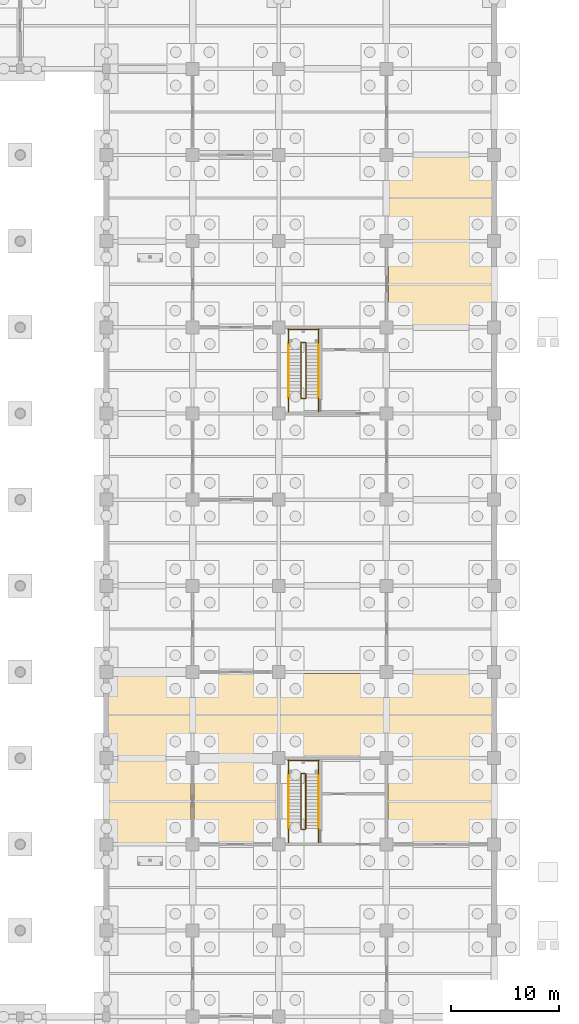
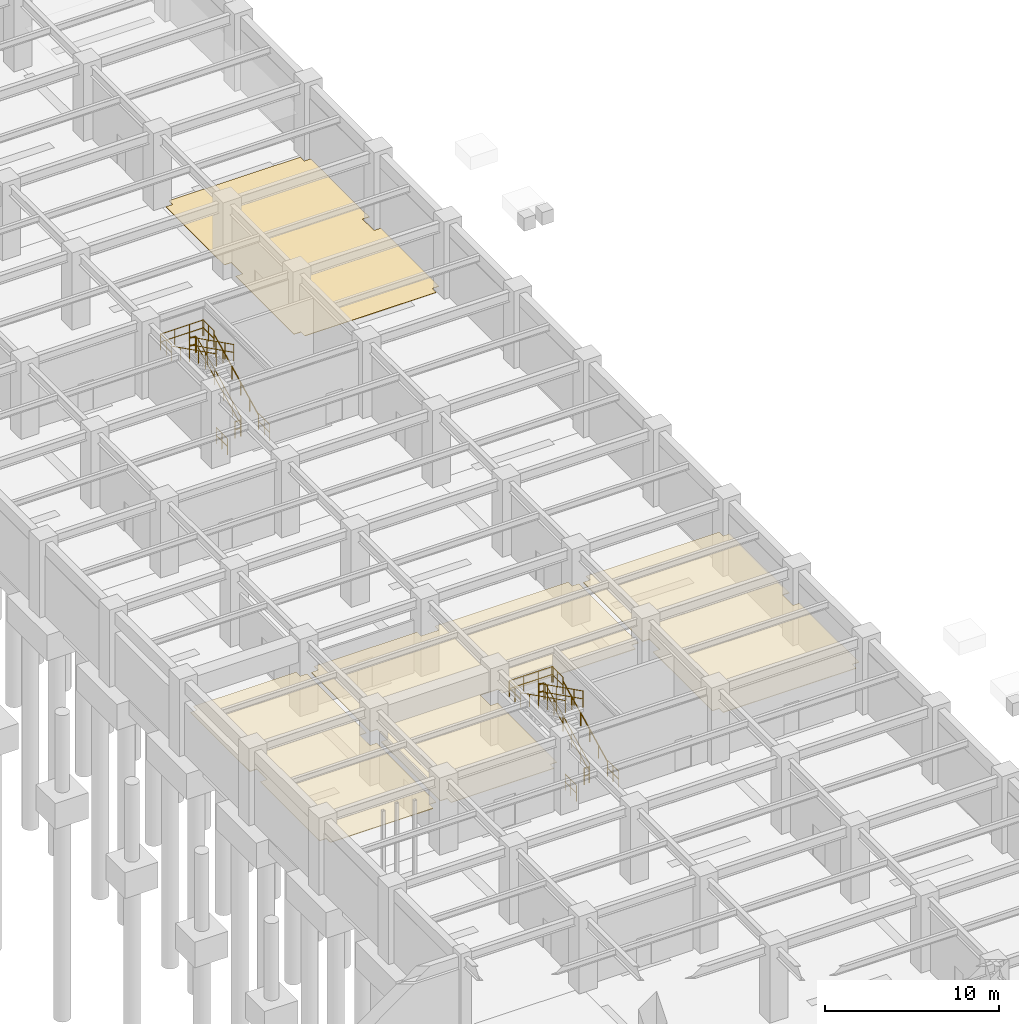
# One storey, part 94 of 97: 22 railings, 4 coverings.
"""IFC4 building model written with IfcOpenShell, lengths in metres."""

from ifc_helpers import new_model, si_unit, direction, frame, origin, origin_2d, place, context, subcontext, project, spatial, polyline, circle, outline, extrude, material, layer, layer_set, type_object, element, save


model = new_model("IFC4")

# Units and contexts
model_context = context("Model", 3, precision=1e-05, world=origin(), true_north=direction((0.0, 1.0)))
body_context = subcontext(model_context, "Body", "Model", "MODEL_VIEW")
ifc_project = project(units=[si_unit("LENGTHUNIT", "METRE"), si_unit("AREAUNIT", "SQUARE_METRE"), si_unit("VOLUMEUNIT", "CUBIC_METRE"), si_unit("PLANEANGLEUNIT", "RADIAN"), si_unit("MASSUNIT", "GRAM", prefix="KILO")], contexts=[model_context])

# Site, building, storey
site_placement = place(None, origin())
site = spatial("IfcSite", under=ifc_project, at=site_placement, CompositionType="ELEMENT")
building_placement = place(site_placement, origin())
building = spatial("IfcBuilding", under=site, at=building_placement, Name="Haebicheon Civic Stadium", CompositionType="ELEMENT")
storey_placement = place(building_placement, frame((0.0, 0.0, -5.39990234375)))
storey = spatial("IfcBuildingStorey", under=building, at=storey_placement, Name="B1", CompositionType="ELEMENT", Elevation=-5.39990234375)

# Coverings
ifc_material_1 = material(Name="Perforated mineral-fibre acoustic board", Category="gypsum")
ifc_layer_1 = layer(ifc_material_1, 0.0400390625, Name="Perforated mineral-fibre acoustic board")
ifc_layer_set_1 = layer_set([ifc_layer_1], Name="Perforated mineral-fibre acoustic board")
covering_type_1 = type_object("IfcCoveringType", Name="COV-CLG-AC", PredefinedType="CEILING", material=ifc_layer_set_1)
covering_1_placement = place(storey_placement, frame((0.0, 0.0, 2.809814453125)))
element("IfcCovering", 1, at=covering_1_placement, inside=storey, type_object=covering_type_1, material=ifc_layer_set_1, Name="B1 Youth Coaching Briefing Room acoustic ceiling", PredefinedType="CEILING", context=body_context, shape_type="SweptSolid", body=[
    extrude(outline(polyline([(200.594970703125, 64.14501953125), (200.594970703125, 64.594970703125), (200.14501953125, 64.594970703125), (200.14501953125, 71.405029296875), (200.594970703125, 71.405029296875), (200.594970703125, 72.594970703125), (200.14501953125, 72.594970703125), (200.14501953125, 79.405029296875), (200.594970703125, 79.405029296875), (200.594970703125, 79.85498046875), (207.405029296875, 79.85498046875), (207.405029296875, 79.405029296875), (207.85498046875, 79.405029296875), (207.85498046875, 72.594970703125), (207.405029296875, 72.594970703125), (207.405029296875, 71.405029296875), (207.85498046875, 71.405029296875), (207.85498046875, 64.594970703125), (207.405029296875, 64.594970703125), (207.405029296875, 64.14501953125), (200.594970703125, 64.14501953125)])), origin(), (0.0, 0.0, 1.0), 0.0400390625),
])
covering_2_placement = place(storey_placement, frame((0.0, 0.0, 2.809814453125)))
element("IfcCovering", 2, at=covering_2_placement, inside=storey, type_object=covering_type_1, material=ifc_layer_set_1, Name="B1 District Heating Exchange Plant acoustic ceiling", PredefinedType="CEILING", context=body_context, shape_type="SweptSolid", body=[
    extrude(outline(polyline([(208.594970703125, 64.14501953125), (208.594970703125, 64.594970703125), (208.14501953125, 64.594970703125), (208.14501953125, 71.405029296875), (208.594970703125, 71.405029296875), (208.594970703125, 72.594970703125), (208.14501953125, 72.594970703125), (208.14501953125, 79.405029296875), (208.594970703125, 79.405029296875), (208.594970703125, 79.85498046875), (215.405029296875, 79.85498046875), (215.405029296875, 79.405029296875), (216.594970703125, 79.405029296875), (216.594970703125, 79.85498046875), (225.405029296875, 79.85498046875), (225.405029296875, 79.405029296875), (225.85498046875, 79.405029296875), (225.85498046875, 72.594970703125), (225.405029296875, 72.594970703125), (225.405029296875, 72.14501953125), (216.594970703125, 72.14501953125), (216.594970703125, 72.594970703125), (215.405029296875, 72.594970703125), (215.405029296875, 71.405029296875), (215.85498046875, 71.405029296875), (215.85498046875, 64.594970703125), (215.405029296875, 64.594970703125), (215.405029296875, 64.14501953125), (208.594970703125, 64.14501953125)])), origin(), (0.0, 0.0, 1.0), 0.0400390625),
])
covering_3_placement = place(storey_placement, frame((0.0, 0.0, 2.809814453125)))
element("IfcCovering", 3, at=covering_3_placement, inside=storey, type_object=covering_type_1, material=ifc_layer_set_1, Name="B1 Community Team Changing Room acoustic ceiling", PredefinedType="CEILING", context=body_context, shape_type="SweptSolid", body=[
    extrude(outline(polyline([(226.594970703125, 64.14501953125), (226.594970703125, 64.594970703125), (226.14501953125, 64.594970703125), (226.14501953125, 71.405029296875), (226.594970703125, 71.405029296875), (226.594970703125, 72.594970703125), (226.14501953125, 72.594970703125), (226.14501953125, 79.405029296875), (226.594970703125, 79.405029296875), (226.594970703125, 79.85498046875), (235.405029296875, 79.85498046875), (235.405029296875, 79.405029296875), (235.85498046875, 79.405029296875), (235.85498046875, 72.594970703125), (235.405029296875, 72.594970703125), (235.405029296875, 71.405029296875), (235.85498046875, 71.405029296875), (235.85498046875, 64.594970703125), (235.405029296875, 64.594970703125), (235.405029296875, 64.14501953125), (226.594970703125, 64.14501953125)])), origin(), (0.0, 0.0, 1.0), 0.0400390625),
])
ifc_material_2 = material(Name="Quartz epoxy resin mortar", Category="concrete")
ifc_layer_2 = layer(ifc_material_2, 0.030029296875, Name="Quartz epoxy resin mortar")
ifc_layer_set_2 = layer_set([ifc_layer_2], Name="Quartz epoxy resin mortar")
covering_type_2 = type_object("IfcCoveringType", Name="COV-FLR-EPX", PredefinedType="FLOORING", material=ifc_layer_set_2)
covering_4_placement = place(storey_placement, origin())
element("IfcCovering", 4, at=covering_4_placement, inside=storey, type_object=covering_type_2, material=ifc_layer_set_2, Name="B1 District Heating Exchange Plant non-slip floor finish", PredefinedType="FLOORING", context=body_context, shape_type="SweptSolid", body=[
    extrude(outline(polyline([(226.64990234375, 112.199951171875), (226.64990234375, 112.64990234375), (226.199951171875, 112.64990234375), (226.199951171875, 119.35009765625), (226.64990234375, 119.35009765625), (226.64990234375, 120.64990234375), (226.199951171875, 120.64990234375), (226.199951171875, 127.35009765625), (226.64990234375, 127.35009765625), (226.64990234375, 127.800048828125), (235.35009765625, 127.800048828125), (235.35009765625, 127.35009765625), (235.800048828125, 127.35009765625), (235.800048828125, 120.64990234375), (235.35009765625, 120.64990234375), (235.35009765625, 119.35009765625), (235.800048828125, 119.35009765625), (235.800048828125, 112.64990234375), (235.35009765625, 112.64990234375), (235.35009765625, 112.199951171875), (226.64990234375, 112.199951171875)])), origin(), (0.0, 0.0, 1.0), 0.02978515625),
])

# Railings
ifc_material_3 = material(Name="Galvanised painted steel SM355", Category="steel")
railing_type_1 = type_object("IfcRailingType", Name="RL-GRD-1150", PredefinedType="GUARDRAIL", material=ifc_material_3)
railing_1_placement = place(storey_placement, frame((218.510009765625, 65.449951171875, 0.14990234375)))
element("IfcRailing", 5, at=railing_1_placement, inside=storey, type_object=railing_type_1, material=ifc_material_3, Name="B1 ST-12 stair guard 1", PredefinedType="GUARDRAIL", context=body_context, shape_type="SweptSolid", body=[
    extrude(circle(Radius=0.02392578125, at=origin_2d()), frame((0.0, 0.0, 1.1259765625), z_axis=(0.0, 0.894427191, 0.4472135955), x_axis=(-1.0, 0.0, 0.0)), (0.0, 0.0, 1.0), 5.7021484375),
    extrude(circle(Radius=0.02392578125, at=origin_2d()), frame((0.0, 0.0, 0.574951171875), z_axis=(0.0, 0.894427191, 0.4472135955), x_axis=(-1.0, 0.0, 0.0)), (0.0, 0.0, 1.0), 5.7021484375),
    extrude(circle(Radius=0.02099609375, at=origin_2d()), origin(), (0.0, 0.0, 1.0), 1.101806640625),
    extrude(circle(Radius=0.02099609375, at=origin_2d()), frame((0.0, 1.02001953125, 0.510009765625)), (0.0, 0.0, 1.0), 1.101806640625),
    extrude(circle(Radius=0.02099609375, at=origin_2d()), frame((0.0, 2.0400390625, 1.02001953125)), (0.0, 0.0, 1.0), 1.101806640625),
    extrude(circle(Radius=0.02099609375, at=origin_2d()), frame((0.0, 3.06005859375, 1.530029296875)), (0.0, 0.0, 1.0), 1.101806640625),
    extrude(circle(Radius=0.02099609375, at=origin_2d()), frame((0.0, 4.080078125, 2.0400390625)), (0.0, 0.0, 1.0), 1.101806640625),
    extrude(circle(Radius=0.02099609375, at=origin_2d()), frame((0.0, 5.10009765625, 2.550048828125)), (0.0, 0.0, 1.0), 1.101806640625),
])
railing_2_placement = place(storey_placement, frame((218.4599609375, 70.60009765625, 2.699951171875)))
element("IfcRailing", 6, at=railing_2_placement, inside=storey, type_object=railing_type_1, material=ifc_material_3, Name="B1 ST-12 stair guard 2", PredefinedType="GUARDRAIL", context=body_context, shape_type="SweptSolid", body=[
    extrude(circle(Radius=0.02392578125, at=origin_2d()), frame((0.0, 0.0, 1.1259765625), z_axis=(-1.0, 0.0, 0.0), x_axis=(0.0, -1.0, 0.0)), (0.0, 0.0, 1.0), 0.33984375),
    extrude(circle(Radius=0.02392578125, at=origin_2d()), frame((0.0, 0.0, 0.574951171875), z_axis=(-1.0, 0.0, 0.0), x_axis=(0.0, -1.0, 0.0)), (0.0, 0.0, 1.0), 0.33984375),
    extrude(circle(Radius=0.02099609375, at=origin_2d()), origin(), (0.0, 0.0, 1.0), 1.101806640625),
    extrude(circle(Radius=0.02099609375, at=origin_2d()), frame((-0.33984375, 0.0, 0.0)), (0.0, 0.0, 1.0), 1.101806640625),
])
for number, where, name in (
    (7, (219.68994140625, 70.550048828125, 2.699951171875), "B1 ST-12 stair guard 3"),
    (8, (216.889892578125, 70.550048828125, 2.699951171875), "B1 ST-12 stair guard 4"),
):
    element("IfcRailing", number, at=place(storey_placement, frame(where)), inside=storey, type_object=railing_type_1, material=ifc_material_3, Name=name, PredefinedType="GUARDRAIL", context=body_context, shape_type="SweptSolid", body=[
        extrude(circle(Radius=0.02392578125, at=origin_2d()), frame((0.0, 0.0, 1.1259765625), z_axis=(0.0, 1.0, 0.0), x_axis=(-1.0, 0.0, 0.0)), (0.0, 0.0, 1.0), 1.2900390625),
        extrude(circle(Radius=0.02392578125, at=origin_2d()), frame((0.0, 0.0, 0.574951171875), z_axis=(0.0, 1.0, 0.0), x_axis=(-1.0, 0.0, 0.0)), (0.0, 0.0, 1.0), 1.2900390625),
        extrude(circle(Radius=0.02099609375, at=origin_2d()), origin(), (0.0, 0.0, 1.0), 1.101806640625),
        extrude(circle(Radius=0.02099609375, at=origin_2d()), frame((0.0, 0.64501953125, 0.0)), (0.0, 0.0, 1.0), 1.101806640625),
        extrude(circle(Radius=0.02099609375, at=origin_2d()), frame((0.0, 1.2900390625, 0.0)), (0.0, 0.0, 1.0), 1.101806640625),
    ])
railing_3_placement = place(storey_placement, frame((219.739990234375, 71.7900390625, 2.699951171875)))
element("IfcRailing", 9, at=railing_3_placement, inside=storey, type_object=railing_type_1, material=ifc_material_3, Name="B1 ST-12 stair guard 5", PredefinedType="GUARDRAIL", context=body_context, shape_type="SweptSolid", body=[
    extrude(circle(Radius=0.02392578125, at=origin_2d()), frame((0.0, 0.0, 1.1259765625), z_axis=(-1.0, 0.0, 0.0), x_axis=(0.0, -1.0, 0.0)), (0.0, 0.0, 1.0), 2.89990234375),
    extrude(circle(Radius=0.02392578125, at=origin_2d()), frame((0.0, 0.0, 0.574951171875), z_axis=(-1.0, 0.0, 0.0), x_axis=(0.0, -1.0, 0.0)), (0.0, 0.0, 1.0), 2.89990234375),
    extrude(circle(Radius=0.02099609375, at=origin_2d()), origin(), (0.0, 0.0, 1.0), 1.101806640625),
    extrude(circle(Radius=0.02099609375, at=origin_2d()), frame((-0.966552734375, 0.0, 0.0)), (0.0, 0.0, 1.0), 1.101806640625),
    extrude(circle(Radius=0.02099609375, at=origin_2d()), frame((-1.933349609375, 0.0, 0.0)), (0.0, 0.0, 1.0), 1.101806640625),
    extrude(circle(Radius=0.02099609375, at=origin_2d()), frame((-2.89990234375, 0.0, 0.0)), (0.0, 0.0, 1.0), 1.101806640625),
])
railing_4_placement = place(storey_placement, frame((218.070068359375, 70.550048828125, 2.849853515625)))
element("IfcRailing", 10, at=railing_4_placement, inside=storey, type_object=railing_type_1, material=ifc_material_3, Name="B1 ST-12 stair guard 6", PredefinedType="GUARDRAIL", context=body_context, shape_type="SweptSolid", body=[
    extrude(circle(Radius=0.02392578125, at=origin_2d()), frame((0.0, 0.0, 1.1259765625), z_axis=(0.0, -0.894427191, 0.4472135955), x_axis=(1.0, 0.0, 0.0)), (0.0, 0.0, 1.0), 5.7021484375),
    extrude(circle(Radius=0.02392578125, at=origin_2d()), frame((0.0, 0.0, 0.574951171875), z_axis=(0.0, -0.894427191, 0.4472135955), x_axis=(1.0, 0.0, 0.0)), (0.0, 0.0, 1.0), 5.7021484375),
    extrude(circle(Radius=0.02099609375, at=origin_2d()), origin(), (0.0, 0.0, 1.0), 1.101806640625),
    extrude(circle(Radius=0.02099609375, at=origin_2d()), frame((0.0, -1.02001953125, 0.510009765625)), (0.0, 0.0, 1.0), 1.101806640625),
    extrude(circle(Radius=0.02099609375, at=origin_2d()), frame((0.0, -2.0400390625, 1.02001953125)), (0.0, 0.0, 1.0), 1.101806640625),
    extrude(circle(Radius=0.02099609375, at=origin_2d()), frame((0.0, -3.06005859375, 1.530029296875)), (0.0, 0.0, 1.0), 1.101806640625),
    extrude(circle(Radius=0.02099609375, at=origin_2d()), frame((0.0, -4.080078125, 2.0400390625)), (0.0, 0.0, 1.0), 1.101806640625),
    extrude(circle(Radius=0.02099609375, at=origin_2d()), frame((0.0, -5.10009765625, 2.550048828125)), (0.0, 0.0, 1.0), 1.101806640625),
])
railing_5_placement = place(storey_placement, frame((218.4599609375, 65.39990234375, 0.0)))
element("IfcRailing", 11, at=railing_5_placement, inside=storey, type_object=railing_type_1, material=ifc_material_3, Name="B1 ST-12 stair guard 7", PredefinedType="GUARDRAIL", context=body_context, shape_type="SweptSolid", body=[
    extrude(circle(Radius=0.02392578125, at=origin_2d()), frame((0.0, 0.0, 1.1259765625), z_axis=(-1.0, 0.0, 0.0), x_axis=(0.0, -1.0, 0.0)), (0.0, 0.0, 1.0), 0.33984375),
    extrude(circle(Radius=0.02392578125, at=origin_2d()), frame((0.0, 0.0, 0.574951171875), z_axis=(-1.0, 0.0, 0.0), x_axis=(0.0, -1.0, 0.0)), (0.0, 0.0, 1.0), 0.33984375),
    extrude(circle(Radius=0.02099609375, at=origin_2d()), origin(), (0.0, 0.0, 1.0), 1.101806640625),
    extrude(circle(Radius=0.02099609375, at=origin_2d()), frame((-0.33984375, 0.0, 0.0)), (0.0, 0.0, 1.0), 1.101806640625),
])
for number, where, name in (
    (12, (219.68994140625, 64.159912109375, 0.0), "B1 ST-12 stair guard 8"),
    (13, (216.889892578125, 64.159912109375, 0.0), "B1 ST-12 stair guard 9"),
):
    element("IfcRailing", number, at=place(storey_placement, frame(where)), inside=storey, type_object=railing_type_1, material=ifc_material_3, Name=name, PredefinedType="GUARDRAIL", context=body_context, shape_type="SweptSolid", body=[
        extrude(circle(Radius=0.02392578125, at=origin_2d()), frame((0.0, 0.0, 1.1259765625), z_axis=(0.0, 1.0, 0.0), x_axis=(-1.0, 0.0, 0.0)), (0.0, 0.0, 1.0), 1.2900390625),
        extrude(circle(Radius=0.02392578125, at=origin_2d()), frame((0.0, 0.0, 0.574951171875), z_axis=(0.0, 1.0, 0.0), x_axis=(-1.0, 0.0, 0.0)), (0.0, 0.0, 1.0), 1.2900390625),
        extrude(circle(Radius=0.02099609375, at=origin_2d()), origin(), (0.0, 0.0, 1.0), 1.101806640625),
        extrude(circle(Radius=0.02099609375, at=origin_2d()), frame((0.0, 0.64501953125, 0.0)), (0.0, 0.0, 1.0), 1.101806640625),
        extrude(circle(Radius=0.02099609375, at=origin_2d()), frame((0.0, 1.2900390625, 0.0)), (0.0, 0.0, 1.0), 1.101806640625),
    ])
railing_6_placement = place(storey_placement, frame((218.530029296875, 105.449951171875, 0.14990234375)))
element("IfcRailing", 14, at=railing_6_placement, inside=storey, type_object=railing_type_1, material=ifc_material_3, Name="B1 ST-13 stair guard 1", PredefinedType="GUARDRAIL", context=body_context, shape_type="SweptSolid", body=[
    extrude(circle(Radius=0.02392578125, at=origin_2d()), frame((0.0, 0.0, 1.1259765625), z_axis=(0.0, 0.894427191, 0.4472135955), x_axis=(-1.0, 0.0, 0.0)), (0.0, 0.0, 1.0), 5.7021484375),
    extrude(circle(Radius=0.02392578125, at=origin_2d()), frame((0.0, 0.0, 0.574951171875), z_axis=(0.0, 0.894427191, 0.4472135955), x_axis=(-1.0, 0.0, 0.0)), (0.0, 0.0, 1.0), 5.7021484375),
    extrude(circle(Radius=0.02099609375, at=origin_2d()), origin(), (0.0, 0.0, 1.0), 1.101806640625),
    extrude(circle(Radius=0.02099609375, at=origin_2d()), frame((0.0, 1.02001953125, 0.510009765625)), (0.0, 0.0, 1.0), 1.101806640625),
    extrude(circle(Radius=0.02099609375, at=origin_2d()), frame((0.0, 2.0400390625, 1.02001953125)), (0.0, 0.0, 1.0), 1.101806640625),
    extrude(circle(Radius=0.02099609375, at=origin_2d()), frame((0.0, 3.06005859375, 1.530029296875)), (0.0, 0.0, 1.0), 1.101806640625),
    extrude(circle(Radius=0.02099609375, at=origin_2d()), frame((0.0, 4.080078125, 2.0400390625)), (0.0, 0.0, 1.0), 1.101806640625),
    extrude(circle(Radius=0.02099609375, at=origin_2d()), frame((0.0, 5.10009765625, 2.550048828125)), (0.0, 0.0, 1.0), 1.101806640625),
])
railing_7_placement = place(storey_placement, frame((218.47998046875, 110.60009765625, 2.699951171875)))
element("IfcRailing", 15, at=railing_7_placement, inside=storey, type_object=railing_type_1, material=ifc_material_3, Name="B1 ST-13 stair guard 2", PredefinedType="GUARDRAIL", context=body_context, shape_type="SweptSolid", body=[
    extrude(circle(Radius=0.02392578125, at=origin_2d()), frame((0.0, 0.0, 1.1259765625), z_axis=(-1.0, 0.0, 0.0), x_axis=(0.0, -1.0, 0.0)), (0.0, 0.0, 1.0), 0.3798828125),
    extrude(circle(Radius=0.02392578125, at=origin_2d()), frame((0.0, 0.0, 0.574951171875), z_axis=(-1.0, 0.0, 0.0), x_axis=(0.0, -1.0, 0.0)), (0.0, 0.0, 1.0), 0.3798828125),
    extrude(circle(Radius=0.02099609375, at=origin_2d()), origin(), (0.0, 0.0, 1.0), 1.101806640625),
    extrude(circle(Radius=0.02099609375, at=origin_2d()), frame((-0.3798828125, 0.0, 0.0)), (0.0, 0.0, 1.0), 1.101806640625),
])
for number, where, name in (
    (16, (219.68994140625, 110.550048828125, 2.699951171875), "B1 ST-13 stair guard 3"),
    (17, (216.889892578125, 110.550048828125, 2.699951171875), "B1 ST-13 stair guard 4"),
):
    element("IfcRailing", number, at=place(storey_placement, frame(where)), inside=storey, type_object=railing_type_1, material=ifc_material_3, Name=name, PredefinedType="GUARDRAIL", context=body_context, shape_type="SweptSolid", body=[
        extrude(circle(Radius=0.02392578125, at=origin_2d()), frame((0.0, 0.0, 1.1259765625), z_axis=(0.0, 1.0, 0.0), x_axis=(-1.0, 0.0, 0.0)), (0.0, 0.0, 1.0), 1.2900390625),
        extrude(circle(Radius=0.02392578125, at=origin_2d()), frame((0.0, 0.0, 0.574951171875), z_axis=(0.0, 1.0, 0.0), x_axis=(-1.0, 0.0, 0.0)), (0.0, 0.0, 1.0), 1.2900390625),
        extrude(circle(Radius=0.02099609375, at=origin_2d()), origin(), (0.0, 0.0, 1.0), 1.101806640625),
        extrude(circle(Radius=0.02099609375, at=origin_2d()), frame((0.0, 0.64501953125, 0.0)), (0.0, 0.0, 1.0), 1.101806640625),
        extrude(circle(Radius=0.02099609375, at=origin_2d()), frame((0.0, 1.2900390625, 0.0)), (0.0, 0.0, 1.0), 1.101806640625),
    ])
railing_8_placement = place(storey_placement, frame((219.739990234375, 111.7900390625, 2.699951171875)))
element("IfcRailing", 18, at=railing_8_placement, inside=storey, type_object=railing_type_1, material=ifc_material_3, Name="B1 ST-13 stair guard 5", PredefinedType="GUARDRAIL", context=body_context, shape_type="SweptSolid", body=[
    extrude(circle(Radius=0.02392578125, at=origin_2d()), frame((0.0, 0.0, 1.1259765625), z_axis=(-1.0, 0.0, 0.0), x_axis=(0.0, -1.0, 0.0)), (0.0, 0.0, 1.0), 2.89990234375),
    extrude(circle(Radius=0.02392578125, at=origin_2d()), frame((0.0, 0.0, 0.574951171875), z_axis=(-1.0, 0.0, 0.0), x_axis=(0.0, -1.0, 0.0)), (0.0, 0.0, 1.0), 2.89990234375),
    extrude(circle(Radius=0.02099609375, at=origin_2d()), origin(), (0.0, 0.0, 1.0), 1.101806640625),
    extrude(circle(Radius=0.02099609375, at=origin_2d()), frame((-0.966552734375, 0.0, 0.0)), (0.0, 0.0, 1.0), 1.101806640625),
    extrude(circle(Radius=0.02099609375, at=origin_2d()), frame((-1.933349609375, 0.0, 0.0)), (0.0, 0.0, 1.0), 1.101806640625),
    extrude(circle(Radius=0.02099609375, at=origin_2d()), frame((-2.89990234375, 0.0, 0.0)), (0.0, 0.0, 1.0), 1.101806640625),
])
railing_9_placement = place(storey_placement, frame((218.050048828125, 110.550048828125, 2.849853515625)))
element("IfcRailing", 19, at=railing_9_placement, inside=storey, type_object=railing_type_1, material=ifc_material_3, Name="B1 ST-13 stair guard 6", PredefinedType="GUARDRAIL", context=body_context, shape_type="SweptSolid", body=[
    extrude(circle(Radius=0.02392578125, at=origin_2d()), frame((0.0, 0.0, 1.1259765625), z_axis=(0.0, -0.894427191, 0.4472135955), x_axis=(1.0, 0.0, 0.0)), (0.0, 0.0, 1.0), 5.7021484375),
    extrude(circle(Radius=0.02392578125, at=origin_2d()), frame((0.0, 0.0, 0.574951171875), z_axis=(0.0, -0.894427191, 0.4472135955), x_axis=(1.0, 0.0, 0.0)), (0.0, 0.0, 1.0), 5.7021484375),
    extrude(circle(Radius=0.02099609375, at=origin_2d()), origin(), (0.0, 0.0, 1.0), 1.101806640625),
    extrude(circle(Radius=0.02099609375, at=origin_2d()), frame((0.0, -1.02001953125, 0.510009765625)), (0.0, 0.0, 1.0), 1.101806640625),
    extrude(circle(Radius=0.02099609375, at=origin_2d()), frame((0.0, -2.0400390625, 1.02001953125)), (0.0, 0.0, 1.0), 1.101806640625),
    extrude(circle(Radius=0.02099609375, at=origin_2d()), frame((0.0, -3.06005859375, 1.530029296875)), (0.0, 0.0, 1.0), 1.101806640625),
    extrude(circle(Radius=0.02099609375, at=origin_2d()), frame((0.0, -4.080078125, 2.0400390625)), (0.0, 0.0, 1.0), 1.101806640625),
    extrude(circle(Radius=0.02099609375, at=origin_2d()), frame((0.0, -5.10009765625, 2.550048828125)), (0.0, 0.0, 1.0), 1.101806640625),
])
railing_10_placement = place(storey_placement, frame((218.47998046875, 105.39990234375, 0.0)))
element("IfcRailing", 20, at=railing_10_placement, inside=storey, type_object=railing_type_1, material=ifc_material_3, Name="B1 ST-13 stair guard 7", PredefinedType="GUARDRAIL", context=body_context, shape_type="SweptSolid", body=[
    extrude(circle(Radius=0.02392578125, at=origin_2d()), frame((0.0, 0.0, 1.1259765625), z_axis=(-1.0, 0.0, 0.0), x_axis=(0.0, -1.0, 0.0)), (0.0, 0.0, 1.0), 0.3798828125),
    extrude(circle(Radius=0.02392578125, at=origin_2d()), frame((0.0, 0.0, 0.574951171875), z_axis=(-1.0, 0.0, 0.0), x_axis=(0.0, -1.0, 0.0)), (0.0, 0.0, 1.0), 0.3798828125),
    extrude(circle(Radius=0.02099609375, at=origin_2d()), origin(), (0.0, 0.0, 1.0), 1.101806640625),
    extrude(circle(Radius=0.02099609375, at=origin_2d()), frame((-0.3798828125, 0.0, 0.0)), (0.0, 0.0, 1.0), 1.101806640625),
])
for number, where, name in (
    (21, (219.68994140625, 104.159912109375, 0.0), "B1 ST-13 stair guard 8"),
    (22, (216.889892578125, 104.159912109375, 0.0), "B1 ST-13 stair guard 9"),
):
    element("IfcRailing", number, at=place(storey_placement, frame(where)), inside=storey, type_object=railing_type_1, material=ifc_material_3, Name=name, PredefinedType="GUARDRAIL", context=body_context, shape_type="SweptSolid", body=[
        extrude(circle(Radius=0.02392578125, at=origin_2d()), frame((0.0, 0.0, 1.1259765625), z_axis=(0.0, 1.0, 0.0), x_axis=(-1.0, 0.0, 0.0)), (0.0, 0.0, 1.0), 1.2900390625),
        extrude(circle(Radius=0.02392578125, at=origin_2d()), frame((0.0, 0.0, 0.574951171875), z_axis=(0.0, 1.0, 0.0), x_axis=(-1.0, 0.0, 0.0)), (0.0, 0.0, 1.0), 1.2900390625),
        extrude(circle(Radius=0.02099609375, at=origin_2d()), origin(), (0.0, 0.0, 1.0), 1.101806640625),
        extrude(circle(Radius=0.02099609375, at=origin_2d()), frame((0.0, 0.64501953125, 0.0)), (0.0, 0.0, 1.0), 1.101806640625),
        extrude(circle(Radius=0.02099609375, at=origin_2d()), frame((0.0, 1.2900390625, 0.0)), (0.0, 0.0, 1.0), 1.101806640625),
    ])
ifc_material_4 = material(Name="Stainless steel 316", Category="steel")
railing_type_2 = type_object("IfcRailingType", Name="RL-HND-900", PredefinedType="HANDRAIL", material=ifc_material_4)
railing_11_placement = place(storey_placement, frame((219.68994140625, 65.449951171875, 0.14990234375)))
element("IfcRailing", 23, at=railing_11_placement, inside=storey, type_object=railing_type_2, material=ifc_material_4, Name="B1 ST-12 stair handrail 1", PredefinedType="HANDRAIL", context=body_context, shape_type="SweptSolid", body=[
    extrude(circle(Radius=0.02392578125, at=origin_2d()), frame((0.0, 0.0, 0.8759765625), z_axis=(0.0, 0.894427191, 0.4472135955), x_axis=(-1.0, 0.0, 0.0)), (0.0, 0.0, 1.0), 5.7021484375),
    extrude(circle(Radius=0.02099609375, at=origin_2d()), origin(), (0.0, 0.0, 1.0), 0.851806640625),
    extrude(circle(Radius=0.02099609375, at=origin_2d()), frame((0.0, 1.02001953125, 0.510009765625)), (0.0, 0.0, 1.0), 0.851806640625),
    extrude(circle(Radius=0.02099609375, at=origin_2d()), frame((0.0, 2.0400390625, 1.02001953125)), (0.0, 0.0, 1.0), 0.851806640625),
    extrude(circle(Radius=0.02099609375, at=origin_2d()), frame((0.0, 3.06005859375, 1.530029296875)), (0.0, 0.0, 1.0), 0.851806640625),
    extrude(circle(Radius=0.02099609375, at=origin_2d()), frame((0.0, 4.080078125, 2.0400390625)), (0.0, 0.0, 1.0), 0.851806640625),
    extrude(circle(Radius=0.02099609375, at=origin_2d()), frame((0.0, 5.10009765625, 2.550048828125)), (0.0, 0.0, 1.0), 0.851806640625),
])
railing_12_placement = place(storey_placement, frame((216.889892578125, 70.550048828125, 2.849853515625)))
element("IfcRailing", 24, at=railing_12_placement, inside=storey, type_object=railing_type_2, material=ifc_material_4, Name="B1 ST-12 stair handrail 2", PredefinedType="HANDRAIL", context=body_context, shape_type="SweptSolid", body=[
    extrude(circle(Radius=0.02392578125, at=origin_2d()), frame((0.0, 0.0, 0.8759765625), z_axis=(0.0, -0.894427191, 0.4472135955), x_axis=(1.0, 0.0, 0.0)), (0.0, 0.0, 1.0), 5.7021484375),
    extrude(circle(Radius=0.02099609375, at=origin_2d()), origin(), (0.0, 0.0, 1.0), 0.851806640625),
    extrude(circle(Radius=0.02099609375, at=origin_2d()), frame((0.0, -1.02001953125, 0.510009765625)), (0.0, 0.0, 1.0), 0.851806640625),
    extrude(circle(Radius=0.02099609375, at=origin_2d()), frame((0.0, -2.0400390625, 1.02001953125)), (0.0, 0.0, 1.0), 0.851806640625),
    extrude(circle(Radius=0.02099609375, at=origin_2d()), frame((0.0, -3.06005859375, 1.530029296875)), (0.0, 0.0, 1.0), 0.851806640625),
    extrude(circle(Radius=0.02099609375, at=origin_2d()), frame((0.0, -4.080078125, 2.0400390625)), (0.0, 0.0, 1.0), 0.851806640625),
    extrude(circle(Radius=0.02099609375, at=origin_2d()), frame((0.0, -5.10009765625, 2.550048828125)), (0.0, 0.0, 1.0), 0.851806640625),
])
railing_13_placement = place(storey_placement, frame((219.68994140625, 105.449951171875, 0.14990234375)))
element("IfcRailing", 25, at=railing_13_placement, inside=storey, type_object=railing_type_2, material=ifc_material_4, Name="B1 ST-13 stair handrail 1", PredefinedType="HANDRAIL", context=body_context, shape_type="SweptSolid", body=[
    extrude(circle(Radius=0.02392578125, at=origin_2d()), frame((0.0, 0.0, 0.8759765625), z_axis=(0.0, 0.894427191, 0.4472135955), x_axis=(-1.0, 0.0, 0.0)), (0.0, 0.0, 1.0), 5.7021484375),
    extrude(circle(Radius=0.02099609375, at=origin_2d()), origin(), (0.0, 0.0, 1.0), 0.851806640625),
    extrude(circle(Radius=0.02099609375, at=origin_2d()), frame((0.0, 1.02001953125, 0.510009765625)), (0.0, 0.0, 1.0), 0.851806640625),
    extrude(circle(Radius=0.02099609375, at=origin_2d()), frame((0.0, 2.0400390625, 1.02001953125)), (0.0, 0.0, 1.0), 0.851806640625),
    extrude(circle(Radius=0.02099609375, at=origin_2d()), frame((0.0, 3.06005859375, 1.530029296875)), (0.0, 0.0, 1.0), 0.851806640625),
    extrude(circle(Radius=0.02099609375, at=origin_2d()), frame((0.0, 4.080078125, 2.0400390625)), (0.0, 0.0, 1.0), 0.851806640625),
    extrude(circle(Radius=0.02099609375, at=origin_2d()), frame((0.0, 5.10009765625, 2.550048828125)), (0.0, 0.0, 1.0), 0.851806640625),
])
railing_14_placement = place(storey_placement, frame((216.889892578125, 110.550048828125, 2.849853515625)))
element("IfcRailing", 26, at=railing_14_placement, inside=storey, type_object=railing_type_2, material=ifc_material_4, Name="B1 ST-13 stair handrail 2", PredefinedType="HANDRAIL", context=body_context, shape_type="SweptSolid", body=[
    extrude(circle(Radius=0.02392578125, at=origin_2d()), frame((0.0, 0.0, 0.8759765625), z_axis=(0.0, -0.894427191, 0.4472135955), x_axis=(1.0, 0.0, 0.0)), (0.0, 0.0, 1.0), 5.7021484375),
    extrude(circle(Radius=0.02099609375, at=origin_2d()), origin(), (0.0, 0.0, 1.0), 0.851806640625),
    extrude(circle(Radius=0.02099609375, at=origin_2d()), frame((0.0, -1.02001953125, 0.510009765625)), (0.0, 0.0, 1.0), 0.851806640625),
    extrude(circle(Radius=0.02099609375, at=origin_2d()), frame((0.0, -2.0400390625, 1.02001953125)), (0.0, 0.0, 1.0), 0.851806640625),
    extrude(circle(Radius=0.02099609375, at=origin_2d()), frame((0.0, -3.06005859375, 1.530029296875)), (0.0, 0.0, 1.0), 0.851806640625),
    extrude(circle(Radius=0.02099609375, at=origin_2d()), frame((0.0, -4.080078125, 2.0400390625)), (0.0, 0.0, 1.0), 0.851806640625),
    extrude(circle(Radius=0.02099609375, at=origin_2d()), frame((0.0, -5.10009765625, 2.550048828125)), (0.0, 0.0, 1.0), 0.851806640625),
])

save(model, "model.ifc")
